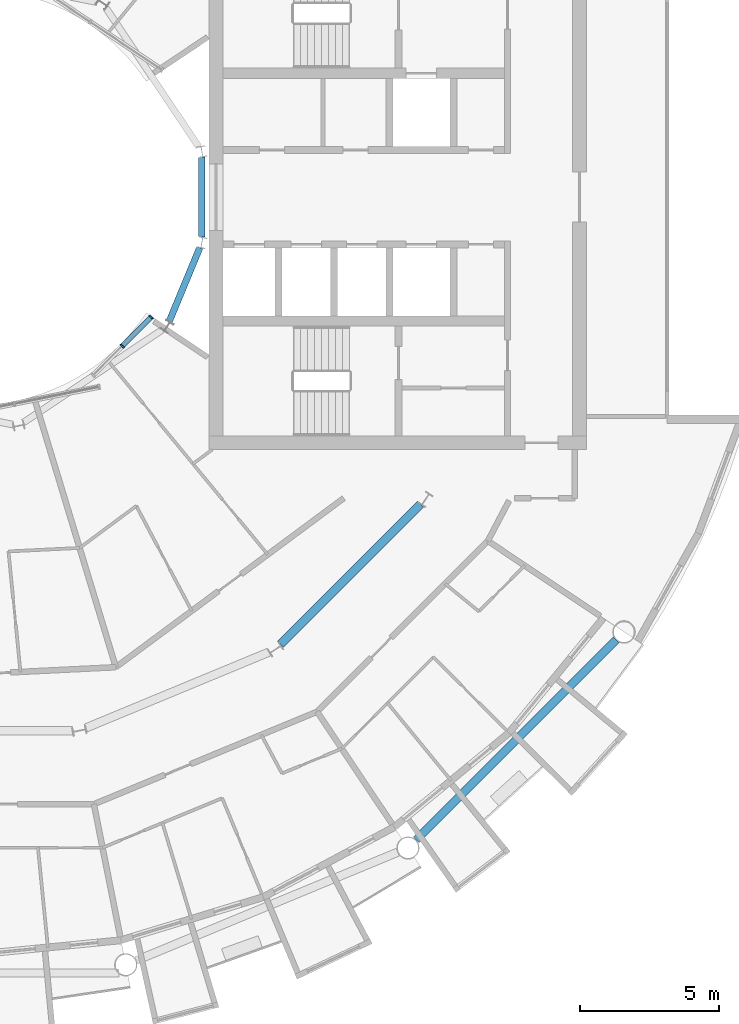
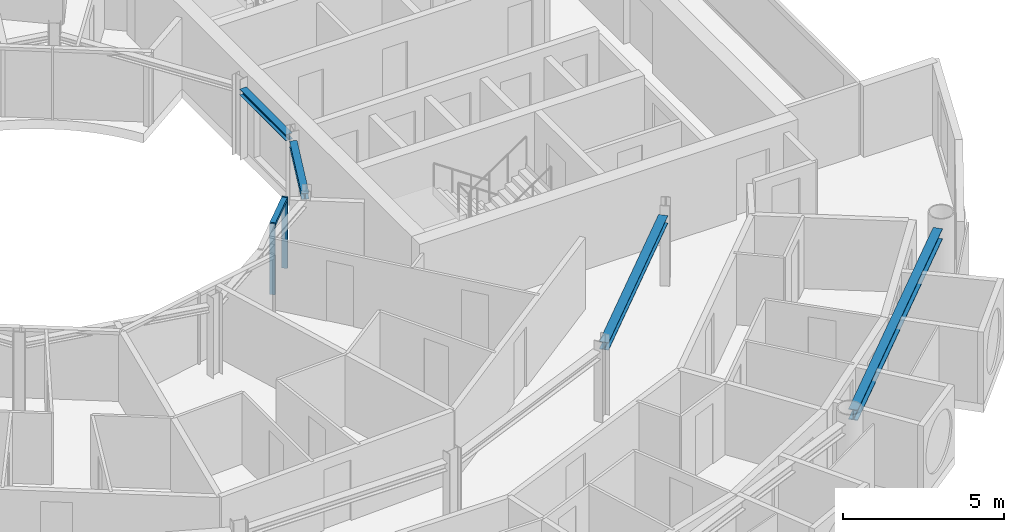
# One storey, part 7 of 27: 4 beams, 3 members, 1 element without a shape of its own.
"""IFC4 building model written with IfcOpenShell, lengths in metres."""

from ifc_helpers import new_model, si_unit, direction, frame, origin, origin_2d, place, context, subcontext, project, spatial, rectangle, i_section, extrude, material, layer, layer_set, material_profile, profile_set, type_object, element, aggregate, save


model = new_model("IFC4")

# Units and contexts
model_context = context("Model", 3, precision=1e-05, world=origin(), true_north=direction((0.0, 1.0)))
body_context = subcontext(model_context, "Body", "Model", "MODEL_VIEW")
ifc_project = project(units=[si_unit("LENGTHUNIT", "METRE"), si_unit("AREAUNIT", "SQUARE_METRE"), si_unit("VOLUMEUNIT", "CUBIC_METRE"), si_unit("PLANEANGLEUNIT", "RADIAN"), si_unit("MASSUNIT", "GRAM", prefix="KILO")], contexts=[model_context])

# Site, building, storey
site_placement = place(None, origin())
site = spatial("IfcSite", under=ifc_project, at=site_placement, CompositionType="ELEMENT")
building_placement = place(site_placement, origin())
building = spatial("IfcBuilding", under=site, at=building_placement, Name="Maasbend Ring Residences", CompositionType="ELEMENT")
storey_placement = place(building_placement, frame((0.0, 0.0, 167.699951171875)))
storey = spatial("IfcBuildingStorey", under=building, at=storey_placement, Name="L48", CompositionType="ELEMENT", Elevation=167.699951171875)

# Curtain wall, members
ifc_material_1 = material(Name="Aluminium and clear glass", Category="aluminium")
ifc_layer = layer(ifc_material_1, 0.179931640625)
ifc_layer_set = layer_set([ifc_layer], Name="CW-W")
curtain_wall_type = type_object("IfcCurtainWallType", Name="CW-W", PredefinedType="NOTDEFINED", material=ifc_layer_set)
curtain_wall_placement = place(storey_placement, origin())
curtain_wall = element("IfcCurtainWall", 1, at=curtain_wall_placement, inside=storey, type_object=curtain_wall_type, Name="Well curtain wall S3", PredefinedType="NOTDEFINED")
ifc_material_2 = material(Name="Aluminium 6063-T6", Category="aluminium")
ifc_material_profile_1 = material_profile(ifc_material_2, rectangle(XDim=0.179931640625, YDim=0.06005859375, at=origin_2d()), Name="AL 180x60")
ifc_profile_set_1 = profile_set([ifc_material_profile_1], Name="Aluminium 6063-T6")
member_type_1 = type_object("IfcMemberType", Name="CWM-W", PredefinedType="MULLION", material=ifc_profile_set_1)
member_1_placement = place(storey_placement, frame((5.366943359375, -5.366943359375, 0.0), z_axis=(0.0, 0.0, 1.0), x_axis=(-0.707106781187, 0.707106781187, 0.0)))
member_1 = element("IfcMember", 2, at=member_1_placement, type_object=member_type_1, Name="Mullion well face", PredefinedType="MULLION", context=body_context, shape_type="SweptSolid", body=[
    extrude(rectangle(XDim=0.179931640625, YDim=0.06005859375, at=origin_2d()), origin(), (0.0, 0.0, 1.0), 2.699951171875),
])
member_2_placement = place(storey_placement, frame((6.413330078125, -4.320556640625, 0.0), z_axis=(0.0, 0.0, 1.0), x_axis=(-0.707106781187, 0.707106781187, 0.0)))
member_2 = element("IfcMember", 3, at=member_2_placement, type_object=member_type_1, Name="Mullion well face", PredefinedType="MULLION", context=body_context, shape_type="SweptSolid", body=[
    extrude(rectangle(XDim=0.179931640625, YDim=0.06005859375, at=origin_2d()), origin(), (0.0, 0.0, 1.0), 2.699951171875),
])
ifc_material_3 = material(Name="Aluminium 6063-T6", Category="aluminium")
ifc_material_profile_2 = material_profile(ifc_material_3, rectangle(XDim=0.179931640625, YDim=0.1201171875, at=origin_2d()), Name="AL 180x120")
ifc_profile_set_2 = profile_set([ifc_material_profile_2], Name="Aluminium 6063-T6")
member_type_2 = type_object("IfcMemberType", Name="CWT-W", PredefinedType="USERDEFINED", material=ifc_profile_set_2)
member_3_placement = place(storey_placement, frame((5.38818359375, -5.345703125, 2.64013671875), z_axis=(0.707106781187, 0.707106781187, 0.0), x_axis=(-0.707106781187, 0.707106781187, 0.0)))
member_3 = element("IfcMember", 4, at=member_3_placement, type_object=member_type_2, Name="Transom well face", ObjectType="TRANSOM", PredefinedType="USERDEFINED", context=body_context, shape_type="SweptSolid", body=[
    extrude(rectangle(XDim=0.179931640625, YDim=0.1201171875, at=origin_2d()), origin(), (0.0, 0.0, 1.0), 1.419677734375),
])
aggregate(curtain_wall, [member_1, member_2, member_3])

# Beams
ifc_material_4 = material(Name="Steel S355J2", Category="steel")
ifc_material_profile_3 = material_profile(ifc_material_4, i_section(OverallWidth=0.300048828125, OverallDepth=0.2900390625, WebThickness=0.008544921875, FlangeThickness=0.013916015625, FilletRadius=0.027099609375, at=origin_2d()), Name="HEA 300")
ifc_profile_set_3 = profile_set([ifc_material_profile_3], Name="Steel S355J2")
beam_type_1 = type_object("IfcBeamType", Name="Corridor ring beam HEA 300", PredefinedType="BEAM", material=ifc_profile_set_3)
beam_1_placement = place(storey_placement, frame((11.0693359375, -16.11669921875, 2.554931640625), z_axis=(0.707106781187, 0.707106781187, 0.0), x_axis=(-0.707106781187, 0.707106781187, 0.0)))
element("IfcBeam", 5, at=beam_1_placement, inside=storey, type_object=beam_type_1, Name="Corridor ring beam", PredefinedType="BEAM", context=body_context, shape_type="SweptSolid", body=[
    extrude(i_section(OverallWidth=0.300048828125, OverallDepth=0.2900390625, WebThickness=0.008544921875, FlangeThickness=0.013916015625, FilletRadius=0.027099609375, at=origin_2d()), origin(), (0.0, 0.0, 1.0), 7.137939453125),
])
ifc_material_5 = material(Name="Steel S355J2", Category="steel")
ifc_material_profile_4 = material_profile(ifc_material_5, i_section(OverallWidth=0.300048828125, OverallDepth=0.39990234375, WebThickness=0.013427734375, FlangeThickness=0.02392578125, FilletRadius=0.027099609375, at=origin_2d()), Name="HEB 400")
ifc_profile_set_4 = profile_set([ifc_material_profile_4], Name="Steel S355J2")
beam_type_2 = type_object("IfcBeamType", Name="Spandrel ring beam HEB 400", PredefinedType="SPANDREL", material=ifc_profile_set_4)
beam_2_placement = place(storey_placement, frame((15.95458984375, -23.159912109375, 2.5), z_axis=(0.707106781187, 0.707106781187, 0.0), x_axis=(-0.707106781187, 0.707106781187, 0.0)))
element("IfcBeam", 6, at=beam_2_placement, inside=storey, type_object=beam_type_2, Name="Spandrel ring beam", PredefinedType="SPANDREL", context=body_context, shape_type="SweptSolid", body=[
    extrude(i_section(OverallWidth=0.300048828125, OverallDepth=0.39990234375, WebThickness=0.013427734375, FlangeThickness=0.02392578125, FilletRadius=0.027099609375, at=origin_2d()), origin(), (0.0, 0.0, 1.0), 10.18994140625),
])
ifc_material_6 = material(Name="Steel S355J2", Category="steel")
ifc_material_profile_5 = material_profile(ifc_material_6, i_section(OverallWidth=0.239990234375, OverallDepth=0.22998046875, WebThickness=0.007568359375, FlangeThickness=0.011962890625, FilletRadius=0.02099609375, at=origin_2d()), Name="HEA 240")
ifc_profile_set_5 = profile_set([ifc_material_profile_5], Name="Steel S355J2")
beam_type_3 = type_object("IfcBeamType", Name="Well edge beam HEA 240", PredefinedType="BEAM", material=ifc_profile_set_5)
for number, where, z_axis, x_axis, name in (
    (7, (7.060302734375, -4.483154296875, 2.5849609375), (0.382748596828, 0.923852537814, 0.0), (-0.923852537814, 0.382748596828, 0.0), "Well edge beam"),
    (8, (8.238525390625, -1.43994140625, 2.5849609375), (0.0, 1.0, 0.0), (-1.0, 0.0, 0.0), "Well edge beam"),
):
    element("IfcBeam", number, at=place(storey_placement, frame(where, z_axis=z_axis, x_axis=x_axis)), inside=storey, type_object=beam_type_3, Name=name, PredefinedType="BEAM", context=body_context, shape_type="SweptSolid", body=[
        extrude(i_section(OverallWidth=0.239990234375, OverallDepth=0.22998046875, WebThickness=0.007568359375, FlangeThickness=0.011962890625, FilletRadius=0.02099609375, at=origin_2d()), origin(), (0.0, 0.0, 1.0), 2.8798828125),
    ])

save(model, "model.ifc")
